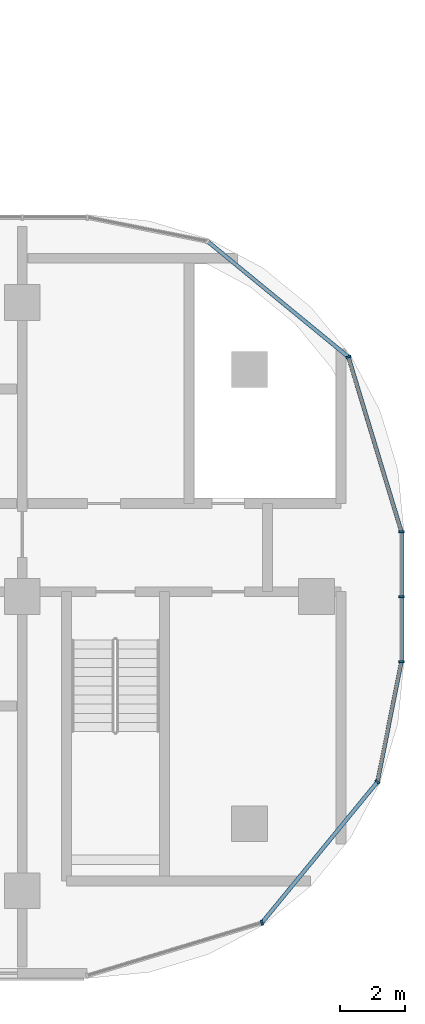
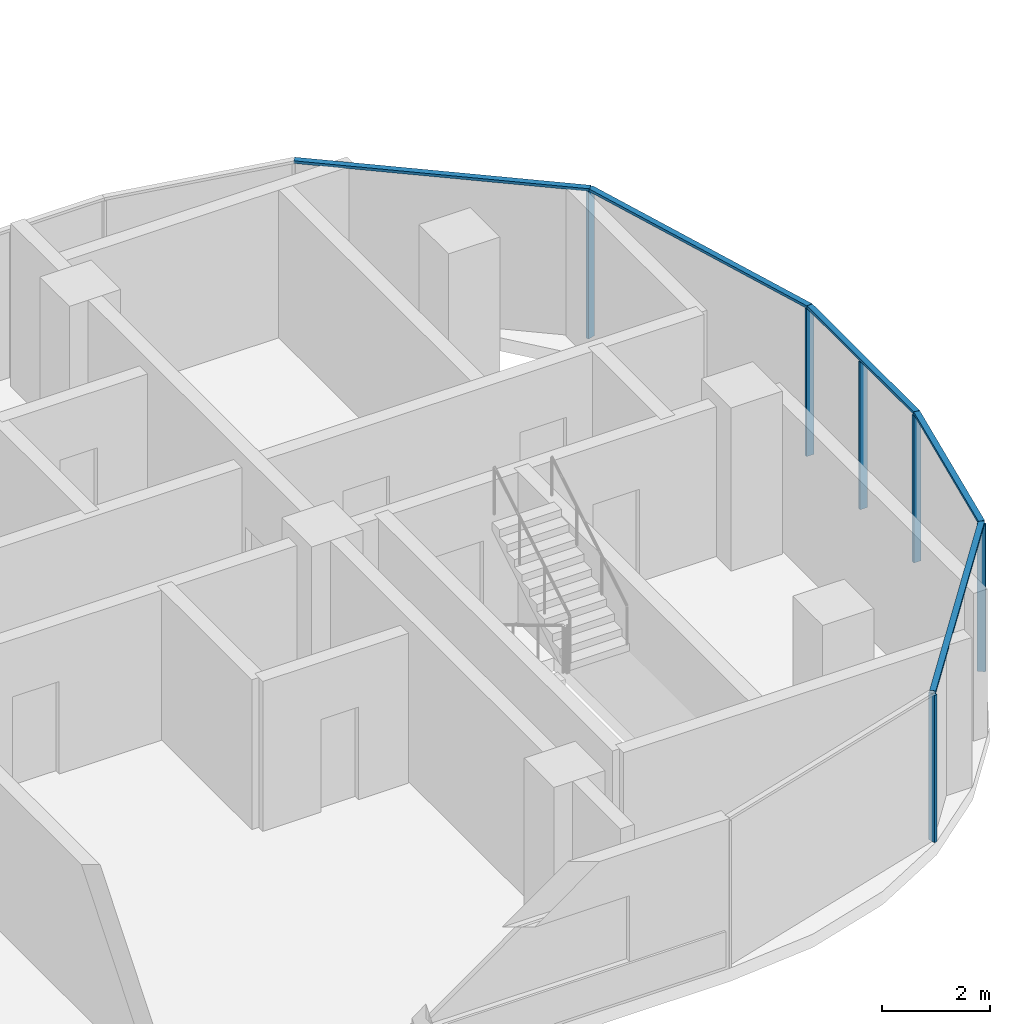
# One storey, part 8 of 23: 11 members, 3 elements without a shape of their own.
"""IFC4 building model written with IfcOpenShell, lengths in metres."""

from ifc_helpers import new_model, si_unit, direction, frame, origin, origin_2d, place, context, subcontext, project, spatial, rectangle, extrude, material, material_profile, profile_set, type_object, element, aggregate, save


model = new_model("IFC4")

# Units and contexts
model_context = context("Model", 3, precision=1e-05, world=origin(), true_north=direction((0.0, 1.0)))
body_context = subcontext(model_context, "Body", "Model", "MODEL_VIEW")
ifc_project = project(units=[si_unit("LENGTHUNIT", "METRE"), si_unit("AREAUNIT", "SQUARE_METRE"), si_unit("VOLUMEUNIT", "CUBIC_METRE"), si_unit("PLANEANGLEUNIT", "RADIAN"), si_unit("MASSUNIT", "GRAM", prefix="KILO")], contexts=[model_context])

# Site, building, storey
site_placement = place(None, origin())
site = spatial("IfcSite", under=ifc_project, at=site_placement, CompositionType="ELEMENT")
building_placement = place(site_placement, origin())
building = spatial("IfcBuilding", under=site, at=building_placement, Name="Ogive Portal Towers", CompositionType="ELEMENT")
storey_placement = place(building_placement, frame((0.0, 0.0, 186.60009765625)))
storey = spatial("IfcBuildingStorey", under=building, at=storey_placement, Name="L46", CompositionType="ELEMENT", Elevation=186.60009765625)

# Curtain wall, members
ifc_material_1 = material(Name="Glass, clear low-iron insulated glazing", Category="glass")
curtain_wall_type = type_object("IfcCurtainWallType", Name="CW FRONT RIBBON 4500", PredefinedType="NOTDEFINED", material=ifc_material_1)
curtain_wall_1_placement = place(storey_placement, origin())
curtain_wall_1 = element("IfcCurtainWall", 1, at=curtain_wall_1_placement, inside=storey, type_object=curtain_wall_type, Name="A:L46:f12:cw0", PredefinedType="NOTDEFINED")
ifc_material_2 = material(Name="Aluminium 6063 anodised", Category="aluminium")
ifc_material_profile_1 = material_profile(ifc_material_2, rectangle(XDim=0.159912109375, YDim=0.06005859375, at=origin_2d()), Name="AL 60x160")
ifc_profile_set_1 = profile_set([ifc_material_profile_1], Name="Aluminium 6063 anodised")
member_type_1 = type_object("IfcMemberType", Name="CW MULLION 60x160", PredefinedType="MULLION", material=ifc_profile_set_1)
member_1_placement = place(storey_placement, frame((97.10009765625, 28.5078125, 0.0), z_axis=(0.0, 0.0, 1.0), x_axis=(-1.0, 0.0, 0.0)))
member_1 = element("IfcMember", 2, at=member_1_placement, type_object=member_type_1, Name="mullion", PredefinedType="MULLION", context=body_context, shape_type="SweptSolid", body=[
    extrude(rectangle(XDim=0.159912109375, YDim=0.06005859375, at=origin_2d()), origin(), (0.0, 0.0, 1.0), 3.33984375),
])
member_2_placement = place(storey_placement, frame((97.10009765625, 30.5, 0.0), z_axis=(0.0, 0.0, 1.0), x_axis=(-1.0, 0.0, 0.0)))
member_2 = element("IfcMember", 3, at=member_2_placement, type_object=member_type_1, Name="mullion", PredefinedType="MULLION", context=body_context, shape_type="SweptSolid", body=[
    extrude(rectangle(XDim=0.159912109375, YDim=0.06005859375, at=origin_2d()), origin(), (0.0, 0.0, 1.0), 3.33984375),
])
member_3_placement = place(storey_placement, frame((97.10009765625, 32.488037109375, 0.0), z_axis=(0.0, 0.0, 1.0), x_axis=(-1.0, 0.0, 0.0)))
member_3 = element("IfcMember", 4, at=member_3_placement, type_object=member_type_1, Name="mullion", PredefinedType="MULLION", context=body_context, shape_type="SweptSolid", body=[
    extrude(rectangle(XDim=0.159912109375, YDim=0.06005859375, at=origin_2d()), origin(), (0.0, 0.0, 1.0), 3.33984375),
])

curtain_wall_2_placement = place(storey_placement, origin())
curtain_wall_2 = element("IfcCurtainWall", 5, at=curtain_wall_2_placement, inside=storey, type_object=curtain_wall_type, Name="A:L46:f09:cwa", PredefinedType="NOTDEFINED")
member_4_placement = place(storey_placement, frame((92.83154296875, 20.52099609375, 0.0), z_axis=(0.0, 0.0, 1.0), x_axis=(-0.290284677254, 0.956940335732, 0.0)))
member_4 = element("IfcMember", 6, at=member_4_placement, type_object=member_type_1, Name="mullion", PredefinedType="MULLION", context=body_context, shape_type="SweptSolid", body=[
    extrude(rectangle(XDim=0.159912109375, YDim=0.06005859375, at=origin_2d()), origin(), (0.0, 0.0, 1.0), 3.33984375),
])
member_5_placement = place(storey_placement, frame((96.36865234375, 24.830810546875, 0.0), z_axis=(0.0, 0.0, 1.0), x_axis=(-0.773010453363, 0.634393284164, 0.0)))
member_5 = element("IfcMember", 7, at=member_5_placement, type_object=member_type_1, Name="mullion", PredefinedType="MULLION", context=body_context, shape_type="SweptSolid", body=[
    extrude(rectangle(XDim=0.159912109375, YDim=0.06005859375, at=origin_2d()), origin(), (0.0, 0.0, 1.0), 3.33984375),
])

# Curtain wall, member
curtain_wall_3_placement = place(storey_placement, origin())
curtain_wall_3 = element("IfcCurtainWall", 8, at=curtain_wall_3_placement, inside=storey, type_object=curtain_wall_type, Name="A:L46:f13:cwa", PredefinedType="NOTDEFINED")
member_6_placement = place(storey_placement, frame((95.47900390625, 37.83154296875, 0.0), z_axis=(0.0, 0.0, 1.0), x_axis=(-0.956940335732, -0.290284677254, 0.0)))
member_6 = element("IfcMember", 9, at=member_6_placement, type_object=member_type_1, Name="mullion", PredefinedType="MULLION", context=body_context, shape_type="SweptSolid", body=[
    extrude(rectangle(XDim=0.159912109375, YDim=0.06005859375, at=origin_2d()), origin(), (0.0, 0.0, 1.0), 3.33984375),
])

# Member
ifc_material_profile_2 = material_profile(ifc_material_2, rectangle(XDim=0.1201171875, YDim=0.06005859375, at=origin_2d()), Name="AL 120x60")
ifc_profile_set_2 = profile_set([ifc_material_profile_2], Name="Aluminium 6063 anodised")
member_type_2 = type_object("IfcMemberType", Name="CW TRANSOM 60x120", PredefinedType="USERDEFINED", material=ifc_profile_set_2)
member_7_placement = place(storey_placement, frame((97.10009765625, 28.5078125, 3.369873046875), z_axis=(0.0, 1.0, 0.0), x_axis=(-1.0, 0.0, 0.0)))
member_7 = element("IfcMember", 10, at=member_7_placement, type_object=member_type_2, Name="transom", ObjectType="TRANSOM", PredefinedType="USERDEFINED", context=body_context, shape_type="SweptSolid", body=[
    extrude(rectangle(XDim=0.1201171875, YDim=0.06005859375, at=origin_2d()), origin(), (0.0, 0.0, 1.0), 3.980224609375),
])

aggregate(curtain_wall_1, [member_7, member_1, member_2, member_3])

member_8_placement = place(storey_placement, frame((92.83154296875, 20.52099609375, 3.369873046875), z_axis=(0.634407866289, 0.772998485892, 0.0), x_axis=(-0.772998485892, 0.634407866289, 0.0)))
member_8 = element("IfcMember", 11, at=member_8_placement, type_object=member_type_2, Name="transom", ObjectType="TRANSOM", PredefinedType="USERDEFINED", context=body_context, shape_type="SweptSolid", body=[
    extrude(rectangle(XDim=0.1201171875, YDim=0.06005859375, at=origin_2d()), origin(), (0.0, 0.0, 1.0), 5.575439453125),
])

member_9_placement = place(storey_placement, frame((96.36865234375, 24.830810546875, 3.369873046875), z_axis=(0.195101649899, 0.980783027079, 0.0), x_axis=(-0.980783027079, 0.195101649899, 0.0)))
member_9 = element("IfcMember", 12, at=member_9_placement, type_object=member_type_2, Name="transom", ObjectType="TRANSOM", PredefinedType="USERDEFINED", context=body_context, shape_type="SweptSolid", body=[
    extrude(rectangle(XDim=0.1201171875, YDim=0.06005859375, at=origin_2d()), origin(), (0.0, 0.0, 1.0), 3.7490234375),
])

aggregate(curtain_wall_2, [member_8, member_9, member_4, member_5])

member_10_placement = place(storey_placement, frame((97.10009765625, 32.488037109375, 3.369873046875), z_axis=(-0.290310746868, 0.956932427214, 0.0), x_axis=(-0.956932427214, -0.290310746868, 0.0)))
member_10 = element("IfcMember", 13, at=member_10_placement, type_object=member_type_2, Name="transom", ObjectType="TRANSOM", PredefinedType="USERDEFINED", context=body_context, shape_type="SweptSolid", body=[
    extrude(rectangle(XDim=0.1201171875, YDim=0.06005859375, at=origin_2d()), origin(), (0.0, 0.0, 1.0), 5.583984375),
])

member_11_placement = place(storey_placement, frame((95.47900390625, 37.83154296875, 3.369873046875), z_axis=(-0.772998485892, 0.634407866289, 0.0), x_axis=(-0.634407866289, -0.772998485892, 0.0)))
member_11 = element("IfcMember", 14, at=member_11_placement, type_object=member_type_2, Name="transom", ObjectType="TRANSOM", PredefinedType="USERDEFINED", context=body_context, shape_type="SweptSolid", body=[
    extrude(rectangle(XDim=0.1201171875, YDim=0.06005859375, at=origin_2d()), origin(), (0.0, 0.0, 1.0), 5.575439453125),
])

aggregate(curtain_wall_3, [member_10, member_11, member_6])

save(model, "model.ifc")
